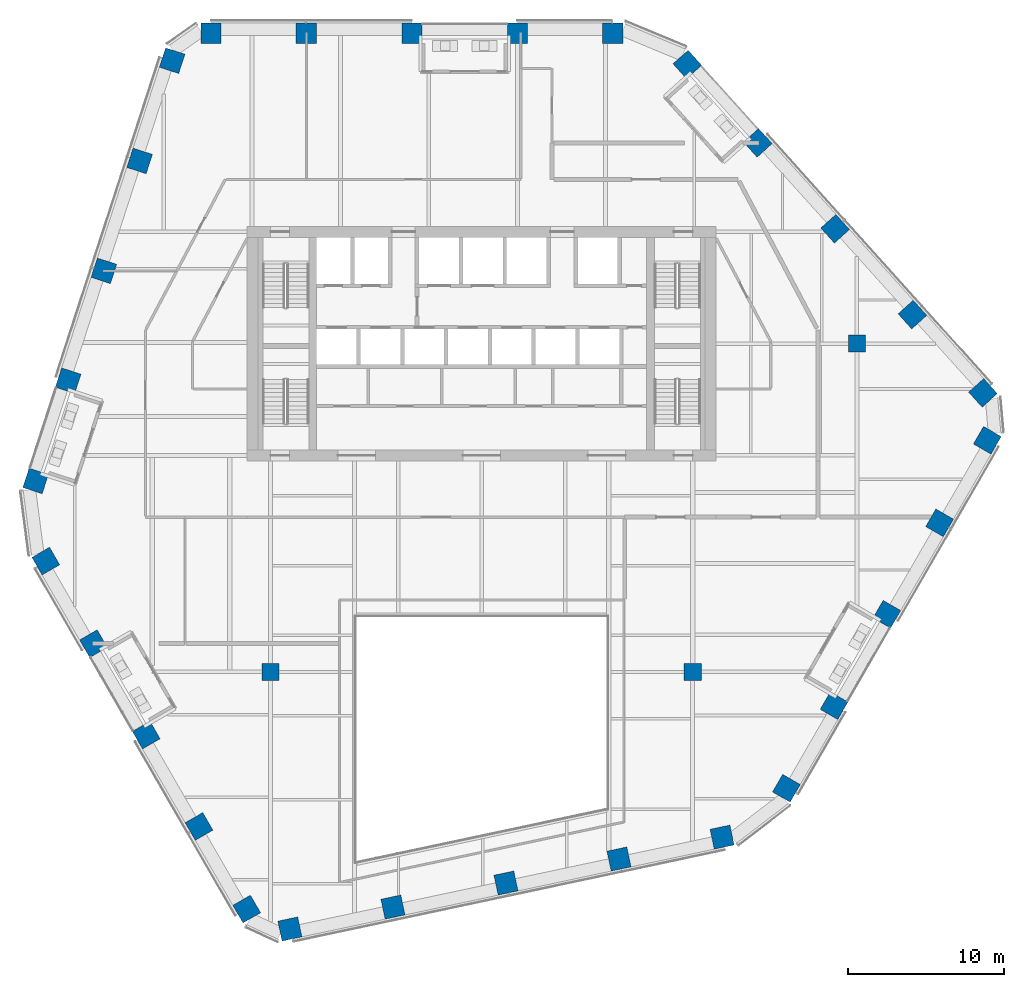
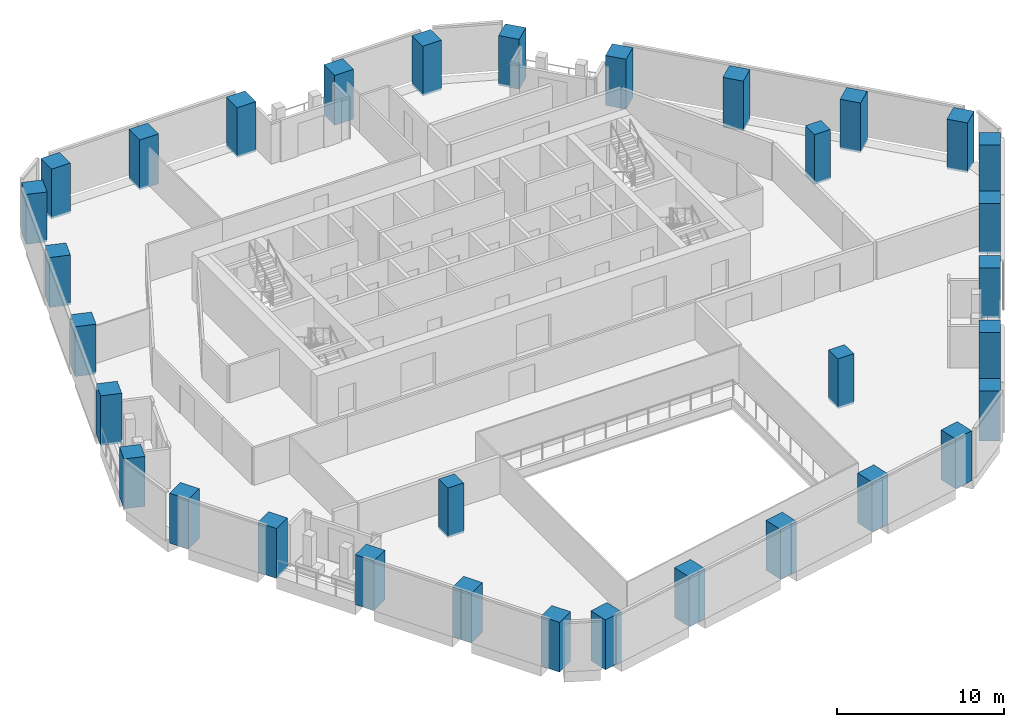
# One storey, part 1 of 25: 33 columns.
"""IFC4 building model written with IfcOpenShell, lengths in metres."""

from ifc_helpers import new_model, si_unit, direction, frame, origin, origin_2d, place, context, subcontext, project, spatial, rectangle, extrude, material, material_profile, profile_set, type_object, element, save


model = new_model("IFC4")

# Units and contexts
model_context = context("Model", 3, precision=1e-05, world=origin(), true_north=direction((0.0, 1.0)))
body_context = subcontext(model_context, "Body", "Model", "MODEL_VIEW")
ifc_project = project(units=[si_unit("LENGTHUNIT", "METRE"), si_unit("AREAUNIT", "SQUARE_METRE"), si_unit("VOLUMEUNIT", "CUBIC_METRE"), si_unit("PLANEANGLEUNIT", "RADIAN"), si_unit("MASSUNIT", "GRAM", prefix="KILO")], contexts=[model_context])

# Site, building, storey
site_placement = place(None, origin())
site = spatial("IfcSite", under=ifc_project, at=site_placement, CompositionType="ELEMENT")
building_placement = place(site_placement, origin())
building = spatial("IfcBuilding", under=site, at=building_placement, Name="Isthmus Gate Tower", CompositionType="ELEMENT")
storey_placement = place(building_placement, frame((0.0, 0.0, 174.449951171875)))
storey = spatial("IfcBuildingStorey", under=building, at=storey_placement, Name="L43", CompositionType="ELEMENT", Elevation=174.449951171875)

# Columns
ifc_material_1 = material(Name="Concrete f'c 60 MPa", Category="concrete")
ifc_material_profile_1 = material_profile(ifc_material_1, rectangle(XDim=1.10009765625, YDim=1.10009765625, at=origin_2d()), Name="RC 1100X1100")
ifc_profile_set_1 = profile_set([ifc_material_profile_1], Name="Concrete f'c 60 MPa")
column_type_1 = type_object("IfcColumnType", Name="RC INTERIOR COLUMN 1100 X 1100", PredefinedType="COLUMN", material=ifc_profile_set_1)
for number, where, z_axis, x_axis, name in (
    (1, (-13.5, -13.5, -0.14990234375), (0.0, 0.0, 1.0), (1.0, 0.0, 0.0), "str-icol-L43-ICB2"),
    (2, (13.5, -13.5, -0.14990234375), (0.0, 0.0, 1.0), (1.0, 0.0, 0.0), "str-icol-L43-ICD2"),
    (3, (24.0, 7.5, -0.14990234375), (0.0, 0.0, 1.0), (1.0, 0.0, 0.0), "str-icol-L43-ICE3"),
):
    element("IfcColumn", number, at=place(storey_placement, frame(where, z_axis=z_axis, x_axis=x_axis)), inside=storey, type_object=column_type_1, Name=name, PredefinedType="COLUMN", context=body_context, shape_type="SweptSolid", body=[
        extrude(rectangle(XDim=1.10009765625, YDim=1.10009765625, at=origin_2d()), origin(), (0.0, 0.0, 1.0), 3.64990234375),
    ])
ifc_material_2 = material(Name="Concrete f'c 60 MPa", Category="concrete")
ifc_material_profile_2 = material_profile(ifc_material_2, rectangle(XDim=1.300048828125, YDim=1.300048828125, at=origin_2d()), Name="RC 1300X1300")
ifc_profile_set_2 = profile_set([ifc_material_profile_2], Name="Concrete f'c 60 MPa")
column_type_2 = type_object("IfcColumnType", Name="RC TUBE COLUMN 1300 X 1300", PredefinedType="COLUMN", material=ifc_profile_set_2)
for number, where, z_axis, x_axis, name in (
    (4, (8.388671875, 27.35009765625, -0.14990234375), (0.0, 0.0, 1.0), (-1.0, 0.0, 0.0), "str-tcol-L43-T2N0"),
    (5, (2.288330078125, 27.35009765625, -0.14990234375), (0.0, 0.0, 1.0), (-1.0, 0.0, 0.0), "str-tcol-L43-T2N1"),
    (6, (-4.461669921875, 27.35009765625, -0.14990234375), (0.0, 0.0, 1.0), (-1.0, 0.0, 0.0), "str-tcol-L43-T2N2"),
    (7, (-11.2119140625, 27.35009765625, -0.14990234375), (0.0, 0.0, 1.0), (-1.0, 0.0, 0.0), "str-tcol-L43-T2N3"),
    (8, (-17.31201171875, 27.35009765625, -0.14990234375), (0.0, 0.0, 1.0), (-1.0, 0.0, 0.0), "str-tcol-L43-T2N4"),
    (9, (-19.797607421875, 25.595947265625, -0.14990234375), (0.0, 0.0, 1.0), (-0.309016994375, -0.951056516295, 0.0), "str-tcol-L43-T2NW0"),
    (10, (-21.880615234375, 19.18505859375, -0.14990234375), (0.0, 0.0, 1.0), (-0.309016994375, -0.951056516295, 0.0), "str-tcol-L43-T2NW1"),
    (11, (-24.164306640625, 12.156005859375, -0.14990234375), (0.0, 0.0, 1.0), (-0.309016994375, -0.951056516295, 0.0), "str-tcol-L43-T2NW2"),
    (12, (-26.4482421875, 5.126953125, -0.14990234375), (0.0, 0.0, 1.0), (-0.309016994375, -0.951056516295, 0.0), "str-tcol-L43-T2NW3"),
    (13, (-28.53125, -1.283935546875, -0.14990234375), (0.0, 0.0, 1.0), (-0.309016994375, -0.951056516295, 0.0), "str-tcol-L43-T2NW4"),
    (14, (-27.880126953125, -6.410400390625, -0.14990234375), (0.0, 0.0, 1.0), (0.5, -0.866025403784, 0.0), "str-tcol-L43-T2SW0"),
    (15, (-24.830078125, -11.693115234375, -0.14990234375), (0.0, 0.0, 1.0), (0.5, -0.866025403784, 0.0), "str-tcol-L43-T2SW1"),
    (16, (-21.454833984375, -17.5390625, -0.14990234375), (0.0, 0.0, 1.0), (0.5, -0.866025403784, 0.0), "str-tcol-L43-T2SW2"),
    (17, (-18.079833984375, -23.384765625, -0.14990234375), (0.0, 0.0, 1.0), (0.5, -0.866025403784, 0.0), "str-tcol-L43-T2SW3"),
    (18, (-15.02978515625, -28.667724609375, -0.14990234375), (0.0, 0.0, 1.0), (0.5, -0.866025403784, 0.0), "str-tcol-L43-T2SW4"),
    (19, (-12.267822265625, -29.943115234375, -0.14990234375), (0.0, 0.0, 1.0), (0.978147600734, 0.207911690818, 0.0), "str-tcol-L43-T2S0"),
    (20, (-5.674560546875, -28.54150390625, -0.14990234375), (0.0, 0.0, 1.0), (0.978147600734, 0.207911690818, 0.0), "str-tcol-L43-T2S1"),
    (21, (1.554931640625, -27.0048828125, -0.14990234375), (0.0, 0.0, 1.0), (0.978147600734, 0.207911690818, 0.0), "str-tcol-L43-T2S2"),
    (22, (8.7841796875, -25.46826171875, -0.14990234375), (0.0, 0.0, 1.0), (0.978147600734, 0.207911690818, 0.0), "str-tcol-L43-T2S3"),
    (23, (15.377685546875, -24.06689453125, -0.14990234375), (0.0, 0.0, 1.0), (0.978147600734, 0.207911690818, 0.0), "str-tcol-L43-T2S4"),
    (24, (19.491455078125, -20.939697265625, -0.14990234375), (0.0, 0.0, 1.0), (0.5, 0.866025403784, 0.0), "str-tcol-L43-T2SE0"),
    (25, (22.54150390625, -15.65673828125, -0.14990234375), (0.0, 0.0, 1.0), (0.5, 0.866025403784, 0.0), "str-tcol-L43-T2SE1"),
    (26, (25.916748046875, -9.81103515625, -0.14990234375), (0.0, 0.0, 1.0), (0.5, 0.866025403784, 0.0), "str-tcol-L43-T2SE2"),
    (27, (29.291748046875, -3.96533203125, -0.14990234375), (0.0, 0.0, 1.0), (0.5, 0.866025403784, 0.0), "str-tcol-L43-T2SE3"),
    (28, (32.341796875, 1.317626953125, -0.14990234375), (0.0, 0.0, 1.0), (0.5, 0.866025403784, 0.0), "str-tcol-L43-T2SE4"),
    (29, (32.0654296875, 4.34716796875, -0.14990234375), (0.0, 0.0, 1.0), (-0.669130606359, 0.743144825477, 0.0), "str-tcol-L43-T2NE0"),
    (30, (27.554931640625, 9.356689453125, -0.14990234375), (0.0, 0.0, 1.0), (-0.669130606359, 0.743144825477, 0.0), "str-tcol-L43-T2NE1"),
    (31, (22.609619140625, 14.84912109375, -0.14990234375), (0.0, 0.0, 1.0), (-0.669130606359, 0.743144825477, 0.0), "str-tcol-L43-T2NE2"),
    (32, (17.6640625, 20.341552734375, -0.14990234375), (0.0, 0.0, 1.0), (-0.669130606359, 0.743144825477, 0.0), "str-tcol-L43-T2NE3"),
    (33, (13.15380859375, 25.350830078125, -0.14990234375), (0.0, 0.0, 1.0), (-0.669130606359, 0.743144825477, 0.0), "str-tcol-L43-T2NE4"),
):
    element("IfcColumn", number, at=place(storey_placement, frame(where, z_axis=z_axis, x_axis=x_axis)), inside=storey, type_object=column_type_2, Name=name, PredefinedType="COLUMN", context=body_context, shape_type="SweptSolid", body=[
        extrude(rectangle(XDim=1.300048828125, YDim=1.300048828125, at=origin_2d()), origin(), (0.0, 0.0, 1.0), 3.64990234375),
    ])

save(model, "model.ifc")
